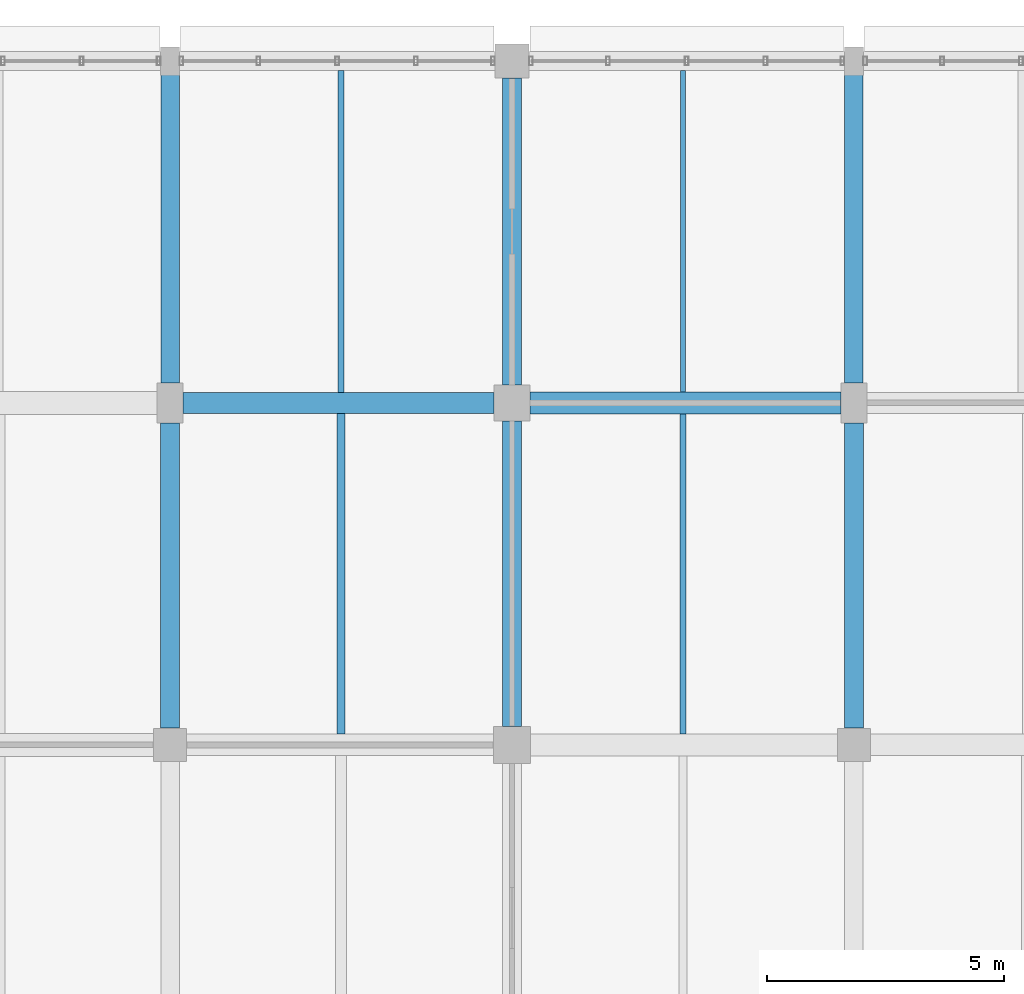
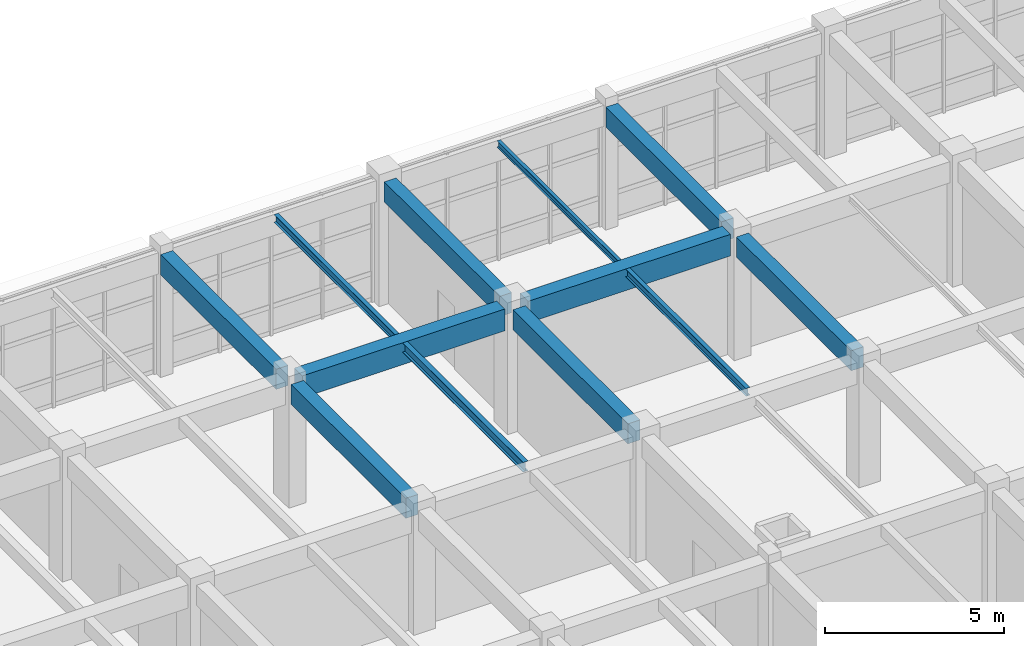
# One storey, part 113 of 171: 12 beams.
"""IFC4 building model written with IfcOpenShell, lengths in metres."""

from ifc_helpers import new_model, si_unit, direction, frame, origin, origin_2d, place, context, subcontext, project, spatial, rectangle, i_section, extrude, material, material_profile, profile_set, type_object, element, save


model = new_model("IFC4")

# Units and contexts
model_context = context("Model", 3, precision=1e-05, world=origin(), true_north=direction((0.0, 1.0)))
body_context = subcontext(model_context, "Body", "Model", "MODEL_VIEW")
ifc_project = project(units=[si_unit("LENGTHUNIT", "METRE"), si_unit("AREAUNIT", "SQUARE_METRE"), si_unit("VOLUMEUNIT", "CUBIC_METRE"), si_unit("PLANEANGLEUNIT", "RADIAN"), si_unit("MASSUNIT", "GRAM", prefix="KILO")], contexts=[model_context])

# Site, building, storey
site_placement = place(None, origin())
site = spatial("IfcSite", under=ifc_project, at=site_placement, CompositionType="ELEMENT")
building_placement = place(site_placement, origin())
building = spatial("IfcBuilding", under=site, at=building_placement, Name="Thalmaran Polytechnic", CompositionType="ELEMENT")
storey_placement = place(building_placement, frame((0.0, 0.0, 5.39990234375)))
storey = spatial("IfcBuildingStorey", under=building, at=storey_placement, Name="L01", CompositionType="ELEMENT", Elevation=5.39990234375)

# Beams
ifc_material_1 = material(Name="Concrete C40/50", Category="concrete")
ifc_material_profile_1 = material_profile(ifc_material_1, rectangle(XDim=0.449951171875, YDim=0.75, at=origin_2d()), Name="RC 450x750")
ifc_profile_set_1 = profile_set([ifc_material_profile_1], Name="Concrete C40/50")
beam_type_1 = type_object("IfcBeamType", Name="BM-RC03", PredefinedType="BEAM", material=ifc_profile_set_1)
beam_1_placement = place(storey_placement, frame((144.27490234375, 115.199951171875, 3.835205078125), z_axis=(1.0, 0.0, 0.0), x_axis=(0.0, 1.0, 0.0)))
element("IfcBeam", 1, at=beam_1_placement, inside=storey, type_object=beam_type_1, Name="Grid Beam B03 L01 X(20,16)", PredefinedType="BEAM", context=body_context, shape_type="SweptSolid", body=[
    extrude(rectangle(XDim=0.449951171875, YDim=0.75, at=origin_2d()), origin(), (0.0, 0.0, 1.0), 6.550048828125),
])
ifc_material_profile_2 = material_profile(ifc_material_1, rectangle(XDim=0.389892578125, YDim=0.68994140625, at=origin_2d()), Name="RC 390x690")
ifc_profile_set_2 = profile_set([ifc_material_profile_2], Name="Concrete C40/50")
beam_type_2 = type_object("IfcBeamType", Name="BM-RC09", PredefinedType="BEAM", material=ifc_profile_set_2)
beam_2_placement = place(storey_placement, frame((144.0, 115.625, 3.864990234375), z_axis=(0.0, 1.0, 0.0), x_axis=(-1.0, 0.0, 0.0)))
element("IfcBeam", 2, at=beam_2_placement, inside=storey, type_object=beam_type_2, Name="Grid Beam B09 L01 Y(20,16)", PredefinedType="BEAM", context=body_context, shape_type="SweptSolid", body=[
    extrude(rectangle(XDim=0.389892578125, YDim=0.68994140625, at=origin_2d()), origin(), (0.0, 0.0, 1.0), 6.47509765625),
])
beam_3_placement = place(storey_placement, frame((151.199951171875, 115.574951171875, 3.864990234375), z_axis=(0.0, 1.0, 0.0), x_axis=(-1.0, 0.0, 0.0)))
element("IfcBeam", 3, at=beam_3_placement, inside=storey, type_object=beam_type_2, Name="Grid Beam B09 L01 Y(21,16)", PredefinedType="BEAM", context=body_context, shape_type="SweptSolid", body=[
    extrude(rectangle(XDim=0.389892578125, YDim=0.68994140625, at=origin_2d()), origin(), (0.0, 0.0, 1.0), 6.465087890625),
])
beam_4_placement = place(storey_placement, frame((158.39990234375, 115.625, 3.864990234375), z_axis=(0.0, 1.0, 0.0), x_axis=(-1.0, 0.0, 0.0)))
element("IfcBeam", 4, at=beam_4_placement, inside=storey, type_object=beam_type_2, Name="Grid Beam B09 L01 Y(22,16)", PredefinedType="BEAM", context=body_context, shape_type="SweptSolid", body=[
    extrude(rectangle(XDim=0.389892578125, YDim=0.68994140625, at=origin_2d()), origin(), (0.0, 0.0, 1.0), 6.47509765625),
])
ifc_material_2 = material(Name="Steel S355", Category="steel")
ifc_material_profile_3 = material_profile(ifc_material_2, i_section(OverallWidth=0.159912109375, OverallDepth=0.330078125, WebThickness=0.007568359375, FlangeThickness=0.011474609375, at=origin_2d()), Name="IPE 330")
ifc_profile_set_3 = profile_set([ifc_material_profile_3], Name="Steel S355")
beam_type_3 = type_object("IfcBeamType", Name="BM-SJ02", PredefinedType="JOIST", material=ifc_profile_set_3)
beam_5_placement = place(storey_placement, frame((147.60009765625, 108.22509765625, 4.045166015625), z_axis=(0.0, 1.0, 0.0), x_axis=(-1.0, 0.0, 0.0)))
element("IfcBeam", 5, at=beam_5_placement, inside=storey, type_object=beam_type_3, Name="Secondary Floor Rib SJ02 L01 (20,15)", PredefinedType="JOIST", context=body_context, shape_type="SweptSolid", body=[
    extrude(i_section(OverallWidth=0.159912109375, OverallDepth=0.330078125, WebThickness=0.007568359375, FlangeThickness=0.011474609375, at=origin_2d()), origin(), (0.0, 0.0, 1.0), 6.75),
])
ifc_material_profile_4 = material_profile(ifc_material_2, i_section(OverallWidth=0.135009765625, OverallDepth=0.27001953125, WebThickness=0.006591796875, FlangeThickness=0.01025390625, at=origin_2d()), Name="IPE 270")
ifc_profile_set_4 = profile_set([ifc_material_profile_4], Name="Steel S355")
beam_type_4 = type_object("IfcBeamType", Name="BM-SJ03", PredefinedType="JOIST", material=ifc_profile_set_4)
beam_6_placement = place(storey_placement, frame((147.60009765625, 115.425048828125, 4.0751953125), z_axis=(0.0, 1.0, 0.0), x_axis=(-1.0, 0.0, 0.0)))
element("IfcBeam", 6, at=beam_6_placement, inside=storey, type_object=beam_type_4, Name="Secondary Floor Rib SJ03 L01 (20,16)", PredefinedType="JOIST", context=body_context, shape_type="SweptSolid", body=[
    extrude(i_section(OverallWidth=0.135009765625, OverallDepth=0.27001953125, WebThickness=0.006591796875, FlangeThickness=0.01025390625, at=origin_2d()), origin(), (0.0, 0.0, 1.0), 6.77490234375),
])
beam_7_placement = place(storey_placement, frame((154.800048828125, 108.22998046875, 4.0751953125), z_axis=(0.0, 1.0, 0.0), x_axis=(-1.0, 0.0, 0.0)))
element("IfcBeam", 7, at=beam_7_placement, inside=storey, type_object=beam_type_4, Name="Secondary Floor Rib SJ03 L01 (21,15)", PredefinedType="JOIST", context=body_context, shape_type="SweptSolid", body=[
    extrude(i_section(OverallWidth=0.135009765625, OverallDepth=0.27001953125, WebThickness=0.006591796875, FlangeThickness=0.01025390625, at=origin_2d()), origin(), (0.0, 0.0, 1.0), 6.739990234375),
])
ifc_material_profile_5 = material_profile(ifc_material_2, i_section(OverallWidth=0.110107421875, OverallDepth=0.219970703125, WebThickness=0.005859375, FlangeThickness=0.00927734375, at=origin_2d()), Name="IPE 220")
ifc_profile_set_5 = profile_set([ifc_material_profile_5], Name="Steel S355")
beam_type_5 = type_object("IfcBeamType", Name="BM-SJ04", PredefinedType="JOIST", material=ifc_profile_set_5)
beam_8_placement = place(storey_placement, frame((154.800048828125, 115.429931640625, 4.10009765625), z_axis=(0.0, 1.0, 0.0), x_axis=(-1.0, 0.0, 0.0)))
element("IfcBeam", 8, at=beam_8_placement, inside=storey, type_object=beam_type_5, Name="Secondary Floor Rib SJ04 L01 (21,16)", PredefinedType="JOIST", context=body_context, shape_type="SweptSolid", body=[
    extrude(i_section(OverallWidth=0.110107421875, OverallDepth=0.219970703125, WebThickness=0.005859375, FlangeThickness=0.00927734375, at=origin_2d()), origin(), (0.0, 0.0, 1.0), 6.77001953125),
])
ifc_material_profile_6 = material_profile(ifc_material_1, rectangle(XDim=0.4599609375, YDim=0.739990234375, at=origin_2d()), Name="RC 460x740")
ifc_profile_set_6 = profile_set([ifc_material_profile_6], Name="Concrete C40/50")
beam_type_6 = type_object("IfcBeamType", Name="BM-ZB02", PredefinedType="BEAM", material=ifc_profile_set_6)
beam_9_placement = place(storey_placement, frame((151.574951171875, 115.199951171875, 3.840087890625), z_axis=(1.0, 0.0, 0.0), x_axis=(0.0, 1.0, 0.0)))
element("IfcBeam", 9, at=beam_9_placement, inside=storey, type_object=beam_type_6, Name="Grid Beam ZB02 L01 X(21,16)", PredefinedType="BEAM", context=body_context, shape_type="SweptSolid", body=[
    extrude(rectangle(XDim=0.4599609375, YDim=0.739990234375, at=origin_2d()), origin(), (0.0, 0.0, 1.0), 6.550048828125),
])
ifc_material_profile_7 = material_profile(ifc_material_1, rectangle(XDim=0.39990234375, YDim=0.68505859375, at=origin_2d()), Name="RC 400x685")
ifc_profile_set_7 = profile_set([ifc_material_profile_7], Name="Concrete C40/50")
beam_type_7 = type_object("IfcBeamType", Name="BM-ZB07", PredefinedType="BEAM", material=ifc_profile_set_7)
beam_10_placement = place(storey_placement, frame((144.0, 108.35009765625, 3.86767578125), z_axis=(0.0, 1.0, 0.0), x_axis=(-1.0, 0.0, 0.0)))
element("IfcBeam", 10, at=beam_10_placement, inside=storey, type_object=beam_type_7, Name="Grid Beam ZB07 L01 Y(20,15)", PredefinedType="BEAM", context=body_context, shape_type="SweptSolid", body=[
    extrude(rectangle(XDim=0.39990234375, YDim=0.68505859375, at=origin_2d()), origin(), (0.0, 0.0, 1.0), 6.4248046875),
])
beam_11_placement = place(storey_placement, frame((151.199951171875, 108.389892578125, 3.86767578125), z_axis=(0.0, 1.0, 0.0), x_axis=(-1.0, 0.0, 0.0)))
element("IfcBeam", 11, at=beam_11_placement, inside=storey, type_object=beam_type_7, Name="Grid Beam ZB07 L01 Y(21,15)", PredefinedType="BEAM", context=body_context, shape_type="SweptSolid", body=[
    extrude(rectangle(XDim=0.39990234375, YDim=0.68505859375, at=origin_2d()), origin(), (0.0, 0.0, 1.0), 6.43505859375),
])
beam_12_placement = place(storey_placement, frame((158.39990234375, 108.35009765625, 3.86767578125), z_axis=(0.0, 1.0, 0.0), x_axis=(-1.0, 0.0, 0.0)))
element("IfcBeam", 12, at=beam_12_placement, inside=storey, type_object=beam_type_7, Name="Grid Beam ZB07 L01 Y(22,15)", PredefinedType="BEAM", context=body_context, shape_type="SweptSolid", body=[
    extrude(rectangle(XDim=0.39990234375, YDim=0.68505859375, at=origin_2d()), origin(), (0.0, 0.0, 1.0), 6.4248046875),
])

save(model, "model.ifc")
